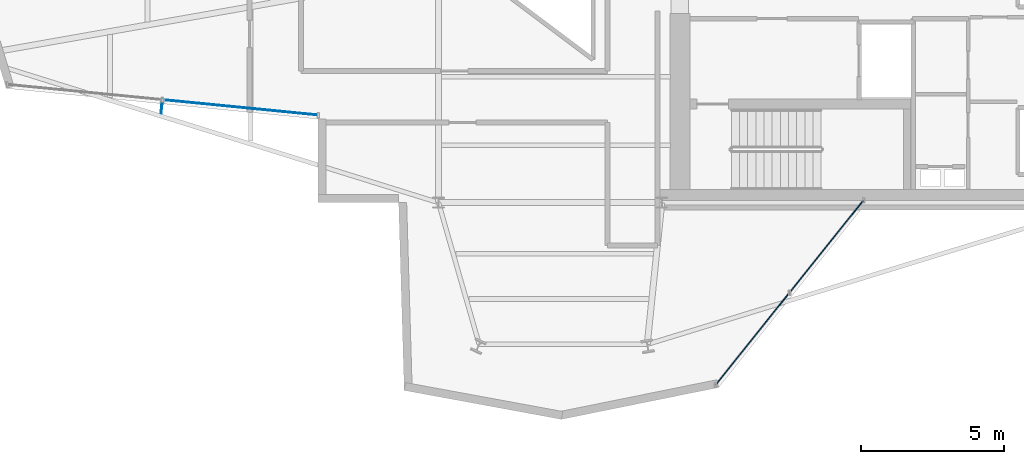
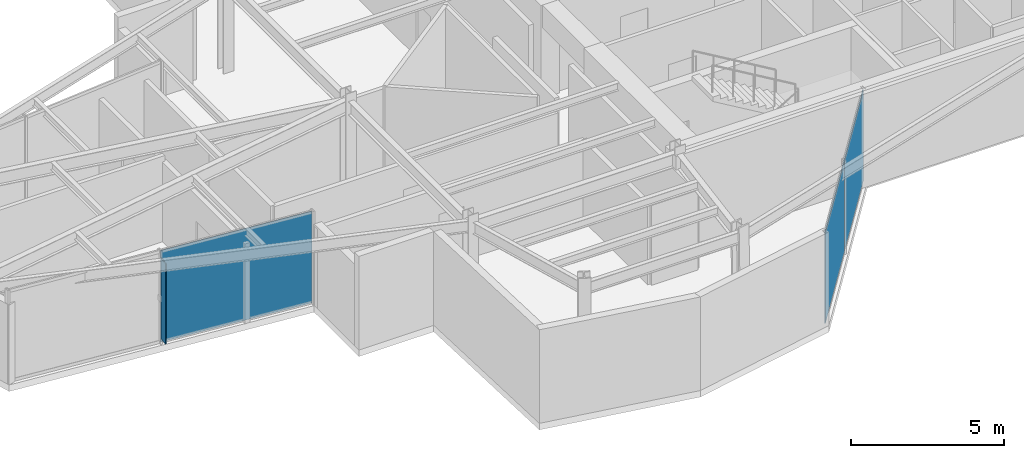
# One storey, part 18 of 23: 4 plates, 2 elements without a shape of their own.
"""IFC4 building model written with IfcOpenShell, lengths in metres."""

from ifc_helpers import new_model, si_unit, direction, frame, origin, origin_2d, place, context, subcontext, project, spatial, rectangle, extrude, material, layer, layer_set, type_object, element, aggregate, save


model = new_model("IFC4")

# Units and contexts
model_context = context("Model", 3, precision=1e-05, world=origin(), true_north=direction((0.0, 1.0)))
body_context = subcontext(model_context, "Body", "Model", "MODEL_VIEW")
ifc_project = project(units=[si_unit("LENGTHUNIT", "METRE"), si_unit("AREAUNIT", "SQUARE_METRE"), si_unit("VOLUMEUNIT", "CUBIC_METRE"), si_unit("PLANEANGLEUNIT", "RADIAN"), si_unit("MASSUNIT", "GRAM", prefix="KILO")], contexts=[model_context])

# Site, building, storey
site_placement = place(None, origin())
site = spatial("IfcSite", under=ifc_project, at=site_placement, CompositionType="ELEMENT")
building_placement = place(site_placement, origin())
building = spatial("IfcBuilding", under=site, at=building_placement, Name="Veymaron Broadcast Tower", CompositionType="ELEMENT")
storey_placement = place(building_placement, frame((0.0, 0.0, 252.60009765625)))
storey = spatial("IfcBuildingStorey", under=building, at=storey_placement, Name="L59", CompositionType="ELEMENT", Elevation=252.60009765625)

# Curtain wall, plate
ifc_material_1 = material(Name="Anodised aluminium AA 6063-T6 and laminated low-E dark glass", Category="aluminium")
ifc_layer_1 = layer(ifc_material_1, 0.179931640625)
ifc_layer_set_1 = layer_set([ifc_layer_1], Name="Anodised aluminium AA 6063-T6 and laminated low-E dark glass")
curtain_wall_type = type_object("IfcCurtainWallType", Name="CW-SYS-05", PredefinedType="NOTDEFINED", material=ifc_layer_set_1)
curtain_wall_1_placement = place(storey_placement, origin())
curtain_wall_1 = element("IfcCurtainWall", 1, at=curtain_wall_1_placement, inside=storey, type_object=curtain_wall_type, Name="L59 dark-glass curtain wall CW-L59-E14-1", PredefinedType="NOTDEFINED")
ifc_material_2 = material(Name="Double-silver solar-control dark glass IGU 32 mm", Category="glass")
ifc_layer_2 = layer(ifc_material_2, 0.031982421875)
ifc_layer_set_2 = layer_set([ifc_layer_2], Name="Double-silver solar-control dark glass IGU 32 mm")
plate_type_1 = type_object("IfcPlateType", Name="CW-PNL-02", PredefinedType="CURTAIN_PANEL", material=ifc_layer_set_2)
plate_1_placement = place(storey_placement, frame((24.276611328125, 19.32373046875, 0.0400390625), z_axis=(0.0, 0.0, 1.0), x_axis=(0.995198402746, -0.097878185373, 0.0)))
plate_1 = element("IfcPlate", 2, at=plate_1_placement, type_object=plate_type_1, Name="CW-L59-E14-1 unitised curtain panel 1", PredefinedType="CURTAIN_PANEL", context=body_context, shape_type="SweptSolid", body=[
    extrude(rectangle(XDim=5.408203125, YDim=0.031982421875, at=origin_2d()), origin(), (0.0, 0.0, 1.0), 3.64990234375),
])
aggregate(curtain_wall_1, [plate_1])

# Curtain wall, plates
curtain_wall_2_placement = place(storey_placement, origin())
curtain_wall_2 = element("IfcCurtainWall", 3, at=curtain_wall_2_placement, inside=storey, type_object=curtain_wall_type, Name="L59 dark-glass curtain wall CW-L59-E20-1", PredefinedType="NOTDEFINED")
plate_2_placement = place(storey_placement, frame((42.16845703125, 11.240966796875, 0.0400390625), z_axis=(0.0, 0.0, 1.0), x_axis=(0.625120058901, 0.780528610597, 0.0)))
plate_2 = element("IfcPlate", 4, at=plate_2_placement, type_object=plate_type_1, Name="CW-L59-E20-1 unitised curtain panel 0", PredefinedType="CURTAIN_PANEL", context=body_context, shape_type="SweptSolid", body=[
    extrude(rectangle(XDim=4.07958984375, YDim=0.031982421875, at=origin_2d()), origin(), (0.0, 0.0, 1.0), 3.64990234375),
])
plate_3_placement = place(storey_placement, frame((44.756103515625, 14.471923828125, 0.0400390625), z_axis=(0.0, 0.0, 1.0), x_axis=(0.625120058901, 0.780528610597, 0.0)))
plate_3 = element("IfcPlate", 5, at=plate_3_placement, type_object=plate_type_1, Name="CW-L59-E20-1 unitised curtain panel 1", PredefinedType="CURTAIN_PANEL", context=body_context, shape_type="SweptSolid", body=[
    extrude(rectangle(XDim=4.07958984375, YDim=0.031982421875, at=origin_2d()), origin(), (0.0, 0.0, 1.0), 3.64990234375),
])
aggregate(curtain_wall_2, [plate_2, plate_3])

# Plate
ifc_material_3 = material(Name="Dark-anodised aluminium AA 6061-T6", Category="aluminium")
ifc_layer_3 = layer(ifc_material_3, 0.030029296875)
ifc_layer_set_3 = layer_set([ifc_layer_3], Name="Dark-anodised aluminium AA 6061-T6")
plate_type_2 = type_object("IfcPlateType", Name="FIN-CHEV-02", PredefinedType="USERDEFINED", material=ifc_layer_set_3)
plate_4_placement = place(storey_placement, frame((21.52587890625, 19.287841796875, 0.26123046875), z_axis=(0.0, 0.0, 1.0), x_axis=(-0.097878185373, -0.995198402746, 0.0)))
element("IfcPlate", 6, at=plate_4_placement, inside=storey, type_object=plate_type_2, Name="CW-L59-E14-1 chevron fin 1", ObjectType="FIN", PredefinedType="USERDEFINED", context=body_context, shape_type="SweptSolid", body=[
    extrude(rectangle(XDim=0.35009765625, YDim=0.034912109375, at=origin_2d()), origin(), (0.0, 0.0, 1.0), 3.207763671875),
])

save(model, "model.ifc")
